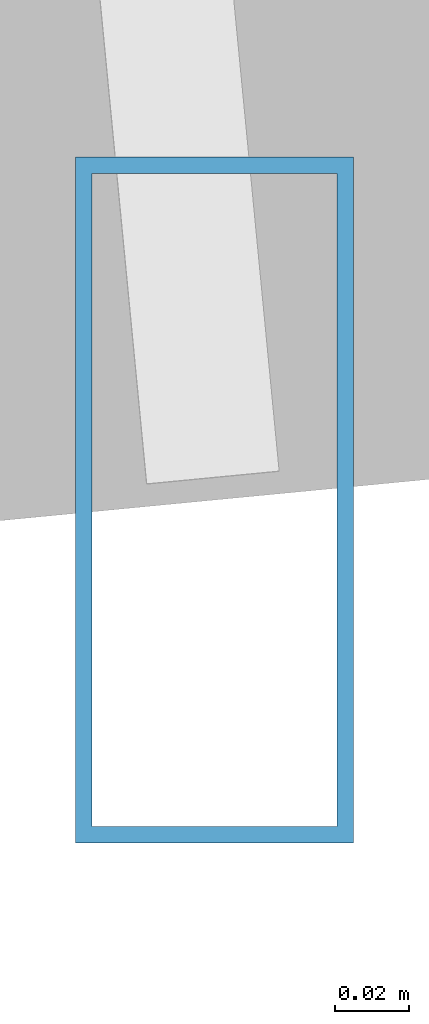
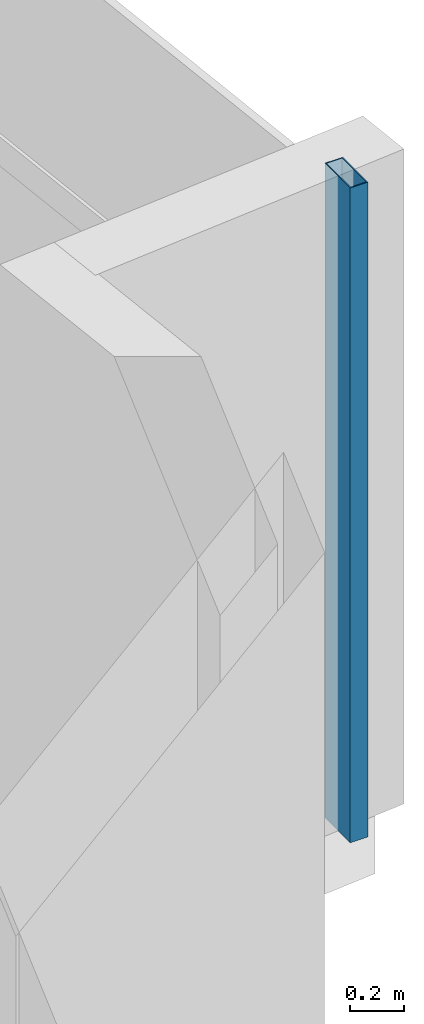
# One storey, part 14 of 27: 1 member, 1 element without a shape of its own.
"""IFC4 building model written with IfcOpenShell, lengths in metres."""

from ifc_helpers import new_model, si_unit, direction, frame, origin, origin_2d, place, context, subcontext, project, spatial, hollow_rectangle, extrude, source, transform, mapped, material, material_profile, profile_set, type_object, type_shapes, element, aggregate, save


model = new_model("IFC4")

# Units and contexts
model_context = context("Model", 3, precision=1e-05, world=origin(), true_north=direction((0.0, 1.0)))
body_context = subcontext(model_context, "Body", "Model", "MODEL_VIEW")
ifc_project = project(units=[si_unit("LENGTHUNIT", "METRE"), si_unit("AREAUNIT", "SQUARE_METRE"), si_unit("VOLUMEUNIT", "CUBIC_METRE"), si_unit("PLANEANGLEUNIT", "RADIAN"), si_unit("MASSUNIT", "GRAM", prefix="KILO")], contexts=[model_context])

# Site, building, storey
site_placement = place(None, origin())
site = spatial("IfcSite", under=ifc_project, at=site_placement, CompositionType="ELEMENT")
building_placement = place(site_placement, origin())
building = spatial("IfcBuilding", under=site, at=building_placement, Name="Astriad Promenade Condominiums", CompositionType="ELEMENT")
storey_placement = place(building_placement, frame((0.0, 0.0, 93.800048828125)))
storey = spatial("IfcBuildingStorey", under=building, at=storey_placement, Name="L26", CompositionType="ELEMENT", Elevation=93.800048828125)

# Curtain wall, member
ifc_material_1 = material(Name="Anodised aluminium Black Dark Glass Unitised", Category="aluminium")
curtain_wall_type = type_object("IfcCurtainWallType", Name="CW-B2-DARK", PredefinedType="USERDEFINED", material=ifc_material_1)
curtain_wall_placement = place(storey_placement, origin())
curtain_wall = element("IfcCurtainWall", 1, at=curtain_wall_placement, inside=storey, type_object=curtain_wall_type, Name="CW-L26-E", ObjectType="UNITISED_CURTAIN_WALL", PredefinedType="USERDEFINED")
ifc_material_2 = material(Name="Anodised aluminium 6063-T6 Black", Category="aluminium")
ifc_material_profile = material_profile(ifc_material_2, hollow_rectangle(XDim=0.074951171875, YDim=0.18505859375, WallThickness=0.00439453125, at=origin_2d()), Name="ALU-MUL-75X185")
ifc_profile_set = profile_set([ifc_material_profile], Name="Anodised aluminium 6063-T6 Black")
member_type = type_object("IfcMemberType", Name="MUL-ALU-MUL-75X185", PredefinedType="MULLION", material=ifc_profile_set)
shared_shape = source(origin(), body_context, "Body", "SweptSolid", [
    extrude(hollow_rectangle(XDim=0.074951171875, YDim=0.18505859375, WallThickness=0.00439453125, at=origin_2d()), origin(), (0.0, 0.0, 1.0), 2.93994140625),
])
type_shapes(member_type, [shared_shape])
member_placement = place(storey_placement, frame((69.4521484375, 11.67822265625, 0.0), z_axis=(0.0, 0.0, 1.0), x_axis=(1.0, 0.0, 0.0)))
member = element("IfcMember", 2, at=member_placement, type_object=member_type, Name="CW-L26-E-MUL-03", PredefinedType="MULLION", context=body_context, shape_type="MappedRepresentation", body=[
    mapped(shared_shape, transform((0.0, 0.0, 0.0), scale=1.0)),
])
aggregate(curtain_wall, [member])

save(model, "model.ifc")
